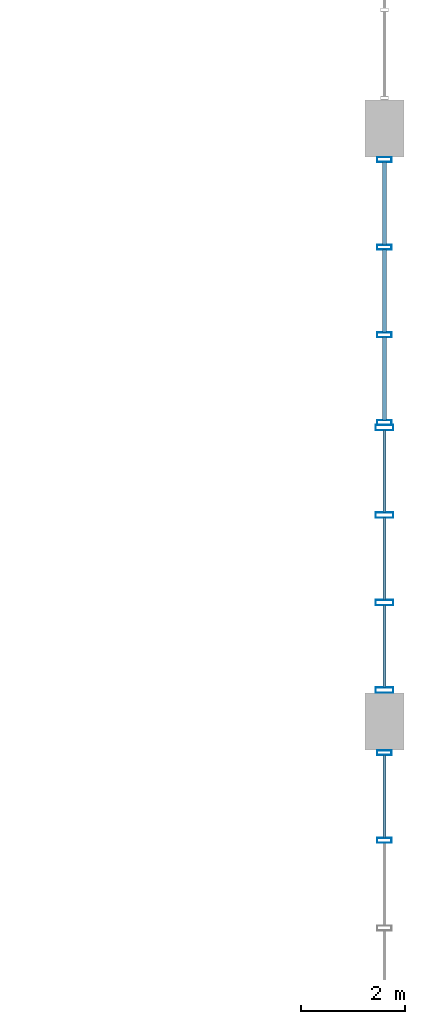
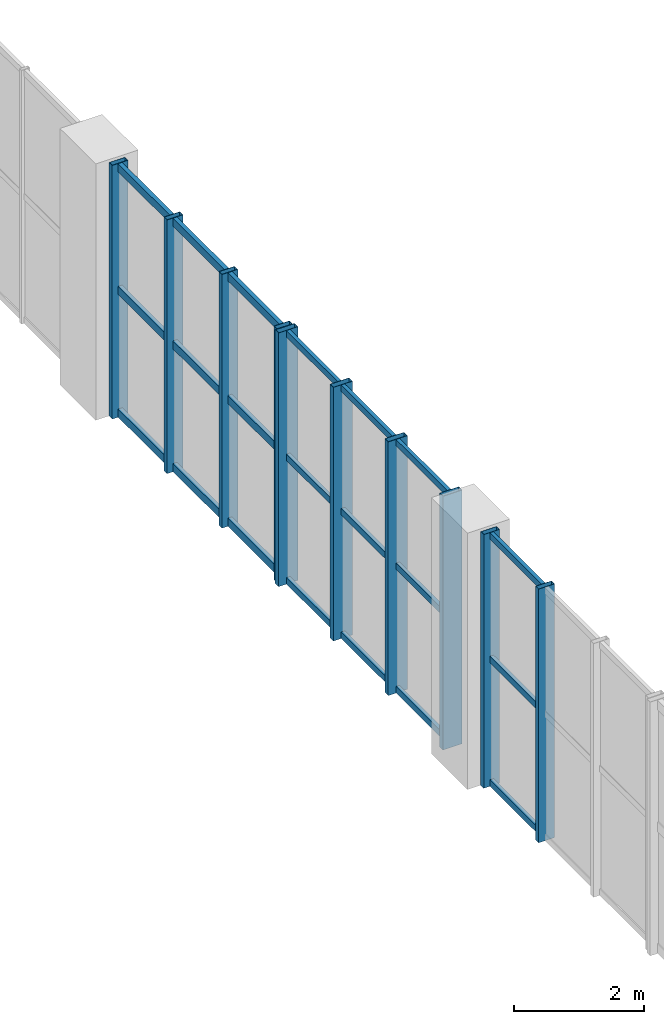
# One storey, part 56 of 106: 31 members, 3 elements without a shape of their own.
"""IFC4 building model written with IfcOpenShell, lengths in metres."""

from ifc_helpers import new_model, si_unit, direction, frame, origin, origin_2d, place, context, subcontext, project, spatial, hollow_rectangle, extrude, material, layer, layer_set, material_profile, profile_set, type_object, element, aggregate, save


model = new_model("IFC4")

# Units and contexts
model_context = context("Model", 3, precision=1e-05, world=origin(), true_north=direction((0.0, 1.0)))
body_context = subcontext(model_context, "Body", "Model", "MODEL_VIEW")
ifc_project = project(units=[si_unit("LENGTHUNIT", "METRE"), si_unit("AREAUNIT", "SQUARE_METRE"), si_unit("VOLUMEUNIT", "CUBIC_METRE"), si_unit("PLANEANGLEUNIT", "RADIAN"), si_unit("MASSUNIT", "GRAM", prefix="KILO"), si_unit("POWERUNIT", "WATT"), si_unit("THERMODYNAMICTEMPERATUREUNIT", "KELVIN")], contexts=[model_context])

# Site, building, storey
site_placement = place(None, origin())
site = spatial("IfcSite", under=ifc_project, at=site_placement, CompositionType="ELEMENT")
building_placement = place(site_placement, origin())
building = spatial("IfcBuilding", under=site, at=building_placement, Name="Kelmbourne Parkland Aquatics Centre", CompositionType="ELEMENT")
storey_placement = place(building_placement, frame((0.0, 0.0, 5.39990234375)))
storey = spatial("IfcBuildingStorey", under=building, at=storey_placement, Name="L01", CompositionType="ELEMENT", Elevation=5.39990234375)

# Curtain wall, members
ifc_material = material(Name="Thermally broken anodised aluminium framing", Category="aluminium")
ifc_layer_1 = layer(ifc_material, 0.179931640625)
ifc_layer_set_1 = layer_set([ifc_layer_1], Name="Thermally broken anodised aluminium framing")
curtain_wall_type_1 = type_object("IfcCurtainWallType", Name="CW-09", PredefinedType="NOTDEFINED", material=ifc_layer_set_1)
curtain_wall_1_placement = place(storey_placement, origin())
curtain_wall_1 = element("IfcCurtainWall", 1, at=curtain_wall_1_placement, inside=storey, type_object=curtain_wall_type_1, Name="Wave-hall clerestory curtain wall CW-L01-033", PredefinedType="NOTDEFINED")
ifc_material_profile_1 = material_profile(ifc_material, hollow_rectangle(XDim=0.094970703125, YDim=0.280029296875, WallThickness=0.005615234375, at=origin_2d()), Name="CW-M 95x280")
ifc_profile_set_1 = profile_set([ifc_material_profile_1], Name="Thermally broken anodised aluminium framing")
member_type_1 = type_object("IfcMemberType", Name="MB-MUL-4", PredefinedType="MULLION", material=ifc_profile_set_1)
member_1_placement = place(storey_placement, frame((175.199951171875, 32.71630859375, 0.0), z_axis=(0.0, 0.0, 1.0), x_axis=(0.0, 1.0, 0.0)))
member_1 = element("IfcMember", 2, at=member_1_placement, type_object=member_type_1, Name="CW-L01-033 mullion 2", PredefinedType="MULLION", context=body_context, shape_type="SweptSolid", body=[
    extrude(hollow_rectangle(XDim=0.094970703125, YDim=0.280029296875, WallThickness=0.005615234375, at=origin_2d()), origin(), (0.0, 0.0, 1.0), 4.75),
])
member_2_placement = place(storey_placement, frame((175.199951171875, 34.400390625, 0.0), z_axis=(0.0, 0.0, 1.0), x_axis=(0.0, 1.0, 0.0)))
member_2 = element("IfcMember", 3, at=member_2_placement, type_object=member_type_1, Name="CW-L01-033 mullion 3", PredefinedType="MULLION", context=body_context, shape_type="SweptSolid", body=[
    extrude(hollow_rectangle(XDim=0.094970703125, YDim=0.280029296875, WallThickness=0.005615234375, at=origin_2d()), origin(), (0.0, 0.0, 1.0), 4.75),
])

ifc_layer_2 = layer(ifc_material, 0.179931640625)
ifc_layer_set_2 = layer_set([ifc_layer_2], Name="Thermally broken anodised aluminium framing")
curtain_wall_type_2 = type_object("IfcCurtainWallType", Name="CW-19", PredefinedType="NOTDEFINED", material=ifc_layer_set_2)
curtain_wall_2_placement = place(storey_placement, origin())
curtain_wall_2 = element("IfcCurtainWall", 4, at=curtain_wall_2_placement, inside=storey, type_object=curtain_wall_type_2, Name="Wave-hall clerestory curtain wall CW-L01-043", PredefinedType="NOTDEFINED")
member_3_placement = place(storey_placement, frame((175.199951171875, 40.74755859375, 0.0), z_axis=(0.0, 0.0, 1.0), x_axis=(0.0, 1.0, 0.0)))
member_3 = element("IfcMember", 5, at=member_3_placement, type_object=member_type_1, Name="CW-L01-043 mullion 0", PredefinedType="MULLION", context=body_context, shape_type="SweptSolid", body=[
    extrude(hollow_rectangle(XDim=0.094970703125, YDim=0.280029296875, WallThickness=0.005615234375, at=origin_2d()), origin(), (0.0, 0.0, 1.0), 4.75),
])
member_4_placement = place(storey_placement, frame((175.199951171875, 42.431884765625, 0.0), z_axis=(0.0, 0.0, 1.0), x_axis=(0.0, 1.0, 0.0)))
member_4 = element("IfcMember", 6, at=member_4_placement, type_object=member_type_1, Name="CW-L01-043 mullion 1", PredefinedType="MULLION", context=body_context, shape_type="SweptSolid", body=[
    extrude(hollow_rectangle(XDim=0.094970703125, YDim=0.280029296875, WallThickness=0.005615234375, at=origin_2d()), origin(), (0.0, 0.0, 1.0), 4.75),
])
member_5_placement = place(storey_placement, frame((175.199951171875, 44.1162109375, 0.0), z_axis=(0.0, 0.0, 1.0), x_axis=(0.0, 1.0, 0.0)))
member_5 = element("IfcMember", 7, at=member_5_placement, type_object=member_type_1, Name="CW-L01-043 mullion 2", PredefinedType="MULLION", context=body_context, shape_type="SweptSolid", body=[
    extrude(hollow_rectangle(XDim=0.094970703125, YDim=0.280029296875, WallThickness=0.005615234375, at=origin_2d()), origin(), (0.0, 0.0, 1.0), 4.75),
])
member_6_placement = place(storey_placement, frame((175.199951171875, 45.800537109375, 0.0), z_axis=(0.0, 0.0, 1.0), x_axis=(0.0, 1.0, 0.0)))
member_6 = element("IfcMember", 8, at=member_6_placement, type_object=member_type_1, Name="CW-L01-043 mullion 3", PredefinedType="MULLION", context=body_context, shape_type="SweptSolid", body=[
    extrude(hollow_rectangle(XDim=0.094970703125, YDim=0.280029296875, WallThickness=0.005615234375, at=origin_2d()), origin(), (0.0, 0.0, 1.0), 4.75),
])

ifc_layer_3 = layer(ifc_material, 0.179931640625)
ifc_layer_set_3 = layer_set([ifc_layer_3], Name="Thermally broken anodised aluminium framing")
curtain_wall_type_3 = type_object("IfcCurtainWallType", Name="CW-15", PredefinedType="NOTDEFINED", material=ifc_layer_set_3)
curtain_wall_3_placement = place(storey_placement, origin())
curtain_wall_3 = element("IfcCurtainWall", 9, at=curtain_wall_3_placement, inside=storey, type_object=curtain_wall_type_3, Name="Wave-hall clerestory curtain wall CW-L01-039", PredefinedType="NOTDEFINED")
ifc_material_profile_2 = material_profile(ifc_material, hollow_rectangle(XDim=0.10498046875, YDim=0.340087890625, WallThickness=0.006103515625, at=origin_2d()), Name="CW-M 105x340")
ifc_profile_set_2 = profile_set([ifc_material_profile_2], Name="Thermally broken anodised aluminium framing")
member_type_2 = type_object("IfcMemberType", Name="MB-MUL-5", PredefinedType="MULLION", material=ifc_profile_set_2)
member_7_placement = place(storey_placement, frame((175.199951171875, 35.6044921875, 0.0), z_axis=(0.0, 0.0, 1.0), x_axis=(0.0, 1.0, 0.0)))
member_7 = element("IfcMember", 10, at=member_7_placement, type_object=member_type_2, Name="CW-L01-039 mullion 0", PredefinedType="MULLION", context=body_context, shape_type="SweptSolid", body=[
    extrude(hollow_rectangle(XDim=0.10498046875, YDim=0.340087890625, WallThickness=0.006103515625, at=origin_2d()), origin(), (0.0, 0.0, 1.0), 4.75),
])
member_8_placement = place(storey_placement, frame((175.199951171875, 37.285400390625, 0.0), z_axis=(0.0, 0.0, 1.0), x_axis=(0.0, 1.0, 0.0)))
member_8 = element("IfcMember", 11, at=member_8_placement, type_object=member_type_2, Name="CW-L01-039 mullion 1", PredefinedType="MULLION", context=body_context, shape_type="SweptSolid", body=[
    extrude(hollow_rectangle(XDim=0.10498046875, YDim=0.340087890625, WallThickness=0.006103515625, at=origin_2d()), origin(), (0.0, 0.0, 1.0), 4.75),
])
member_9_placement = place(storey_placement, frame((175.199951171875, 38.966552734375, 0.0), z_axis=(0.0, 0.0, 1.0), x_axis=(0.0, 1.0, 0.0)))
member_9 = element("IfcMember", 12, at=member_9_placement, type_object=member_type_2, Name="CW-L01-039 mullion 2", PredefinedType="MULLION", context=body_context, shape_type="SweptSolid", body=[
    extrude(hollow_rectangle(XDim=0.10498046875, YDim=0.340087890625, WallThickness=0.006103515625, at=origin_2d()), origin(), (0.0, 0.0, 1.0), 4.75),
])
member_10_placement = place(storey_placement, frame((175.199951171875, 40.6474609375, 0.0), z_axis=(0.0, 0.0, 1.0), x_axis=(0.0, 1.0, 0.0)))
member_10 = element("IfcMember", 13, at=member_10_placement, type_object=member_type_2, Name="CW-L01-039 mullion 3", PredefinedType="MULLION", context=body_context, shape_type="SweptSolid", body=[
    extrude(hollow_rectangle(XDim=0.10498046875, YDim=0.340087890625, WallThickness=0.006103515625, at=origin_2d()), origin(), (0.0, 0.0, 1.0), 4.75),
])

# Member
ifc_material_profile_3 = material_profile(ifc_material, hollow_rectangle(XDim=0.06494140625, YDim=0.1201171875, WallThickness=0.00341796875, at=origin_2d()), Name="CW-T 65x120")
ifc_profile_set_3 = profile_set([ifc_material_profile_3], Name="Thermally broken anodised aluminium framing")
member_type_3 = type_object("IfcMemberType", Name="MB-TRN-1", PredefinedType="USERDEFINED", material=ifc_profile_set_3)
member_11_placement = place(storey_placement, frame((175.199951171875, 32.759765625, 0.06298828125), z_axis=(0.0, 1.0, 0.0), x_axis=(-1.0, 0.0, 0.0)))
member_11 = element("IfcMember", 14, at=member_11_placement, type_object=member_type_3, Name="CW-L01-033 transom 0-2", ObjectType="TRANSOM", PredefinedType="USERDEFINED", context=body_context, shape_type="SweptSolid", body=[
    extrude(hollow_rectangle(XDim=0.06494140625, YDim=0.1201171875, WallThickness=0.00341796875, at=origin_2d()), origin(), (0.0, 0.0, 1.0), 1.59716796875),
])

member_12_placement = place(storey_placement, frame((175.199951171875, 32.759765625, 2.375), z_axis=(0.0, 1.0, 0.0), x_axis=(-1.0, 0.0, 0.0)))
member_12 = element("IfcMember", 15, at=member_12_placement, type_object=member_type_3, Name="CW-L01-033 transom 1-2", ObjectType="TRANSOM", PredefinedType="USERDEFINED", context=body_context, shape_type="SweptSolid", body=[
    extrude(hollow_rectangle(XDim=0.06494140625, YDim=0.1201171875, WallThickness=0.00341796875, at=origin_2d()), origin(), (0.0, 0.0, 1.0), 1.59716796875),
])

member_13_placement = place(storey_placement, frame((175.199951171875, 32.759765625, 4.68701171875), z_axis=(0.0, 1.0, 0.0), x_axis=(-1.0, 0.0, 0.0)))
member_13 = element("IfcMember", 16, at=member_13_placement, type_object=member_type_3, Name="CW-L01-033 transom 2-2", ObjectType="TRANSOM", PredefinedType="USERDEFINED", context=body_context, shape_type="SweptSolid", body=[
    extrude(hollow_rectangle(XDim=0.06494140625, YDim=0.1201171875, WallThickness=0.00341796875, at=origin_2d()), origin(), (0.0, 0.0, 1.0), 1.59716796875),
])

aggregate(curtain_wall_1, [member_1, member_2, member_11, member_12, member_13])

member_14_placement = place(storey_placement, frame((175.199951171875, 35.653076171875, 0.06298828125), z_axis=(0.0, 1.0, 0.0), x_axis=(-1.0, 0.0, 0.0)))
member_14 = element("IfcMember", 17, at=member_14_placement, type_object=member_type_3, Name="CW-L01-039 transom 0-0", ObjectType="TRANSOM", PredefinedType="USERDEFINED", context=body_context, shape_type="SweptSolid", body=[
    extrude(hollow_rectangle(XDim=0.06494140625, YDim=0.1201171875, WallThickness=0.00341796875, at=origin_2d()), origin(), (0.0, 0.0, 1.0), 1.583984375),
])

member_15_placement = place(storey_placement, frame((175.199951171875, 37.333984375, 0.06298828125), z_axis=(0.0, 1.0, 0.0), x_axis=(-1.0, 0.0, 0.0)))
member_15 = element("IfcMember", 18, at=member_15_placement, type_object=member_type_3, Name="CW-L01-039 transom 0-1", ObjectType="TRANSOM", PredefinedType="USERDEFINED", context=body_context, shape_type="SweptSolid", body=[
    extrude(hollow_rectangle(XDim=0.06494140625, YDim=0.1201171875, WallThickness=0.00341796875, at=origin_2d()), origin(), (0.0, 0.0, 1.0), 1.583984375),
])

member_16_placement = place(storey_placement, frame((175.199951171875, 39.014892578125, 0.06298828125), z_axis=(0.0, 1.0, 0.0), x_axis=(-1.0, 0.0, 0.0)))
member_16 = element("IfcMember", 19, at=member_16_placement, type_object=member_type_3, Name="CW-L01-039 transom 0-2", ObjectType="TRANSOM", PredefinedType="USERDEFINED", context=body_context, shape_type="SweptSolid", body=[
    extrude(hollow_rectangle(XDim=0.06494140625, YDim=0.1201171875, WallThickness=0.00341796875, at=origin_2d()), origin(), (0.0, 0.0, 1.0), 1.584228515625),
])

member_17_placement = place(storey_placement, frame((175.199951171875, 35.653076171875, 2.375), z_axis=(0.0, 1.0, 0.0), x_axis=(-1.0, 0.0, 0.0)))
member_17 = element("IfcMember", 20, at=member_17_placement, type_object=member_type_3, Name="CW-L01-039 transom 1-0", ObjectType="TRANSOM", PredefinedType="USERDEFINED", context=body_context, shape_type="SweptSolid", body=[
    extrude(hollow_rectangle(XDim=0.06494140625, YDim=0.1201171875, WallThickness=0.00341796875, at=origin_2d()), origin(), (0.0, 0.0, 1.0), 1.583984375),
])

member_18_placement = place(storey_placement, frame((175.199951171875, 37.333984375, 2.375), z_axis=(0.0, 1.0, 0.0), x_axis=(-1.0, 0.0, 0.0)))
member_18 = element("IfcMember", 21, at=member_18_placement, type_object=member_type_3, Name="CW-L01-039 transom 1-1", ObjectType="TRANSOM", PredefinedType="USERDEFINED", context=body_context, shape_type="SweptSolid", body=[
    extrude(hollow_rectangle(XDim=0.06494140625, YDim=0.1201171875, WallThickness=0.00341796875, at=origin_2d()), origin(), (0.0, 0.0, 1.0), 1.583984375),
])

member_19_placement = place(storey_placement, frame((175.199951171875, 39.014892578125, 2.375), z_axis=(0.0, 1.0, 0.0), x_axis=(-1.0, 0.0, 0.0)))
member_19 = element("IfcMember", 22, at=member_19_placement, type_object=member_type_3, Name="CW-L01-039 transom 1-2", ObjectType="TRANSOM", PredefinedType="USERDEFINED", context=body_context, shape_type="SweptSolid", body=[
    extrude(hollow_rectangle(XDim=0.06494140625, YDim=0.1201171875, WallThickness=0.00341796875, at=origin_2d()), origin(), (0.0, 0.0, 1.0), 1.584228515625),
])

member_20_placement = place(storey_placement, frame((175.199951171875, 35.653076171875, 4.68701171875), z_axis=(0.0, 1.0, 0.0), x_axis=(-1.0, 0.0, 0.0)))
member_20 = element("IfcMember", 23, at=member_20_placement, type_object=member_type_3, Name="CW-L01-039 transom 2-0", ObjectType="TRANSOM", PredefinedType="USERDEFINED", context=body_context, shape_type="SweptSolid", body=[
    extrude(hollow_rectangle(XDim=0.06494140625, YDim=0.1201171875, WallThickness=0.00341796875, at=origin_2d()), origin(), (0.0, 0.0, 1.0), 1.583984375),
])

member_21_placement = place(storey_placement, frame((175.199951171875, 37.333984375, 4.68701171875), z_axis=(0.0, 1.0, 0.0), x_axis=(-1.0, 0.0, 0.0)))
member_21 = element("IfcMember", 24, at=member_21_placement, type_object=member_type_3, Name="CW-L01-039 transom 2-1", ObjectType="TRANSOM", PredefinedType="USERDEFINED", context=body_context, shape_type="SweptSolid", body=[
    extrude(hollow_rectangle(XDim=0.06494140625, YDim=0.1201171875, WallThickness=0.00341796875, at=origin_2d()), origin(), (0.0, 0.0, 1.0), 1.583984375),
])

member_22_placement = place(storey_placement, frame((175.199951171875, 39.014892578125, 4.68701171875), z_axis=(0.0, 1.0, 0.0), x_axis=(-1.0, 0.0, 0.0)))
member_22 = element("IfcMember", 25, at=member_22_placement, type_object=member_type_3, Name="CW-L01-039 transom 2-2", ObjectType="TRANSOM", PredefinedType="USERDEFINED", context=body_context, shape_type="SweptSolid", body=[
    extrude(hollow_rectangle(XDim=0.06494140625, YDim=0.1201171875, WallThickness=0.00341796875, at=origin_2d()), origin(), (0.0, 0.0, 1.0), 1.584228515625),
])

aggregate(curtain_wall_3, [member_7, member_8, member_9, member_10, member_14, member_15, member_16, member_17, member_18, member_19, member_20, member_21, member_22])

ifc_material_profile_4 = material_profile(ifc_material, hollow_rectangle(XDim=0.074951171875, YDim=0.14990234375, WallThickness=0.00390625, at=origin_2d()), Name="CW-T 75x150")
ifc_profile_set_4 = profile_set([ifc_material_profile_4], Name="Thermally broken anodised aluminium framing")
member_type_4 = type_object("IfcMemberType", Name="MB-TRN-2", PredefinedType="USERDEFINED", material=ifc_profile_set_4)
member_23_placement = place(storey_placement, frame((175.199951171875, 40.791015625, 0.078125), z_axis=(0.0, 1.0, 0.0), x_axis=(-1.0, 0.0, 0.0)))
member_23 = element("IfcMember", 26, at=member_23_placement, type_object=member_type_4, Name="CW-L01-043 transom 0-0", ObjectType="TRANSOM", PredefinedType="USERDEFINED", context=body_context, shape_type="SweptSolid", body=[
    extrude(hollow_rectangle(XDim=0.074951171875, YDim=0.14990234375, WallThickness=0.00390625, at=origin_2d()), origin(), (0.0, 0.0, 1.0), 1.59716796875),
])

member_24_placement = place(storey_placement, frame((175.199951171875, 42.475341796875, 0.078125), z_axis=(0.0, 1.0, 0.0), x_axis=(-1.0, 0.0, 0.0)))
member_24 = element("IfcMember", 27, at=member_24_placement, type_object=member_type_4, Name="CW-L01-043 transom 0-1", ObjectType="TRANSOM", PredefinedType="USERDEFINED", context=body_context, shape_type="SweptSolid", body=[
    extrude(hollow_rectangle(XDim=0.074951171875, YDim=0.14990234375, WallThickness=0.00390625, at=origin_2d()), origin(), (0.0, 0.0, 1.0), 1.597412109375),
])

member_25_placement = place(storey_placement, frame((175.199951171875, 44.15966796875, 0.078125), z_axis=(0.0, 1.0, 0.0), x_axis=(-1.0, 0.0, 0.0)))
member_25 = element("IfcMember", 28, at=member_25_placement, type_object=member_type_4, Name="CW-L01-043 transom 0-2", ObjectType="TRANSOM", PredefinedType="USERDEFINED", context=body_context, shape_type="SweptSolid", body=[
    extrude(hollow_rectangle(XDim=0.074951171875, YDim=0.14990234375, WallThickness=0.00390625, at=origin_2d()), origin(), (0.0, 0.0, 1.0), 1.597412109375),
])

member_26_placement = place(storey_placement, frame((175.199951171875, 40.791015625, 2.375), z_axis=(0.0, 1.0, 0.0), x_axis=(-1.0, 0.0, 0.0)))
member_26 = element("IfcMember", 29, at=member_26_placement, type_object=member_type_4, Name="CW-L01-043 transom 1-0", ObjectType="TRANSOM", PredefinedType="USERDEFINED", context=body_context, shape_type="SweptSolid", body=[
    extrude(hollow_rectangle(XDim=0.074951171875, YDim=0.14990234375, WallThickness=0.00390625, at=origin_2d()), origin(), (0.0, 0.0, 1.0), 1.59716796875),
])

member_27_placement = place(storey_placement, frame((175.199951171875, 42.475341796875, 2.375), z_axis=(0.0, 1.0, 0.0), x_axis=(-1.0, 0.0, 0.0)))
member_27 = element("IfcMember", 30, at=member_27_placement, type_object=member_type_4, Name="CW-L01-043 transom 1-1", ObjectType="TRANSOM", PredefinedType="USERDEFINED", context=body_context, shape_type="SweptSolid", body=[
    extrude(hollow_rectangle(XDim=0.074951171875, YDim=0.14990234375, WallThickness=0.00390625, at=origin_2d()), origin(), (0.0, 0.0, 1.0), 1.597412109375),
])

member_28_placement = place(storey_placement, frame((175.199951171875, 44.15966796875, 2.375), z_axis=(0.0, 1.0, 0.0), x_axis=(-1.0, 0.0, 0.0)))
member_28 = element("IfcMember", 31, at=member_28_placement, type_object=member_type_4, Name="CW-L01-043 transom 1-2", ObjectType="TRANSOM", PredefinedType="USERDEFINED", context=body_context, shape_type="SweptSolid", body=[
    extrude(hollow_rectangle(XDim=0.074951171875, YDim=0.14990234375, WallThickness=0.00390625, at=origin_2d()), origin(), (0.0, 0.0, 1.0), 1.597412109375),
])

member_29_placement = place(storey_placement, frame((175.199951171875, 40.791015625, 4.672119140625), z_axis=(0.0, 1.0, 0.0), x_axis=(-1.0, 0.0, 0.0)))
member_29 = element("IfcMember", 32, at=member_29_placement, type_object=member_type_4, Name="CW-L01-043 transom 2-0", ObjectType="TRANSOM", PredefinedType="USERDEFINED", context=body_context, shape_type="SweptSolid", body=[
    extrude(hollow_rectangle(XDim=0.074951171875, YDim=0.14990234375, WallThickness=0.00390625, at=origin_2d()), origin(), (0.0, 0.0, 1.0), 1.59716796875),
])

member_30_placement = place(storey_placement, frame((175.199951171875, 42.475341796875, 4.672119140625), z_axis=(0.0, 1.0, 0.0), x_axis=(-1.0, 0.0, 0.0)))
member_30 = element("IfcMember", 33, at=member_30_placement, type_object=member_type_4, Name="CW-L01-043 transom 2-1", ObjectType="TRANSOM", PredefinedType="USERDEFINED", context=body_context, shape_type="SweptSolid", body=[
    extrude(hollow_rectangle(XDim=0.074951171875, YDim=0.14990234375, WallThickness=0.00390625, at=origin_2d()), origin(), (0.0, 0.0, 1.0), 1.597412109375),
])

member_31_placement = place(storey_placement, frame((175.199951171875, 44.15966796875, 4.672119140625), z_axis=(0.0, 1.0, 0.0), x_axis=(-1.0, 0.0, 0.0)))
member_31 = element("IfcMember", 34, at=member_31_placement, type_object=member_type_4, Name="CW-L01-043 transom 2-2", ObjectType="TRANSOM", PredefinedType="USERDEFINED", context=body_context, shape_type="SweptSolid", body=[
    extrude(hollow_rectangle(XDim=0.074951171875, YDim=0.14990234375, WallThickness=0.00390625, at=origin_2d()), origin(), (0.0, 0.0, 1.0), 1.597412109375),
])

aggregate(curtain_wall_2, [member_3, member_4, member_5, member_6, member_23, member_24, member_25, member_26, member_27, member_28, member_29, member_30, member_31])

save(model, "model.ifc")
